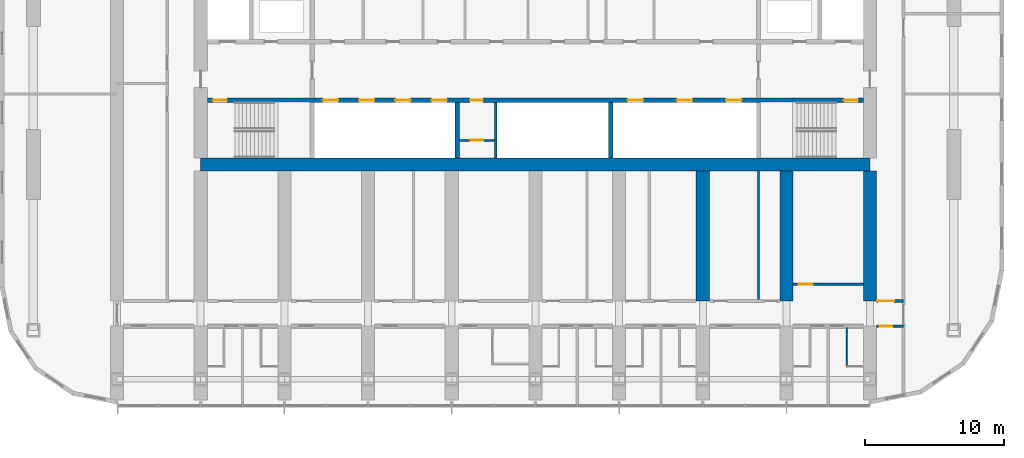
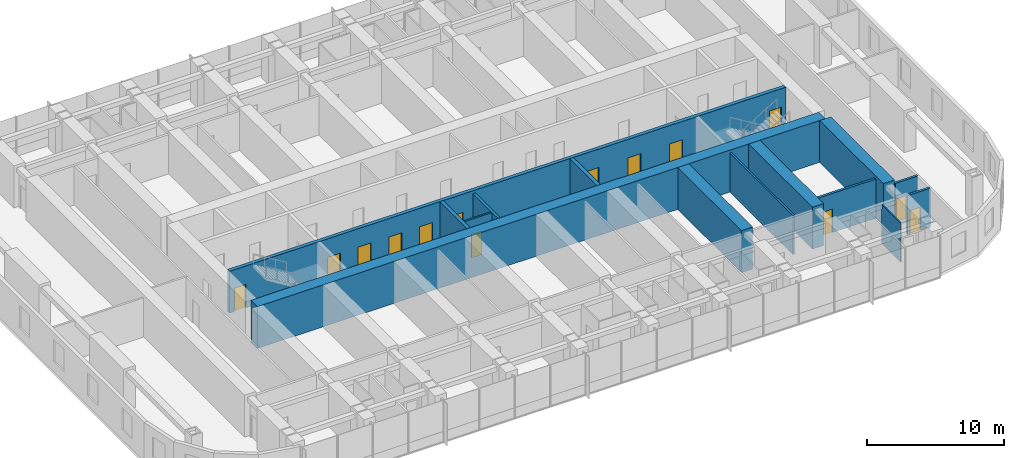
# One storey, part 11 of 21: 14 doors, 14 walls, 14 openings.
"""IFC4 building model written with IfcOpenShell, lengths in metres."""

from ifc_helpers import new_model, si_unit, direction, frame, frame_2d, origin, place, context, subcontext, project, spatial, polyline, rectangle, outline, extrude, material, layer, layer_set, type_object, element, fill, save


model = new_model("IFC4")

# Units and contexts
model_context = context("Model", 3, precision=1e-05, world=origin(), true_north=direction((0.0, 1.0)))
body_context = subcontext(model_context, "Body", "Model", "MODEL_VIEW")
ifc_project = project(units=[si_unit("LENGTHUNIT", "METRE"), si_unit("AREAUNIT", "SQUARE_METRE"), si_unit("VOLUMEUNIT", "CUBIC_METRE"), si_unit("PLANEANGLEUNIT", "RADIAN"), si_unit("MASSUNIT", "GRAM", prefix="KILO")], contexts=[model_context])

# Site, building, storey
site_placement = place(None, origin())
site = spatial("IfcSite", under=ifc_project, at=site_placement, CompositionType="ELEMENT")
building_placement = place(site_placement, origin())
building = spatial("IfcBuilding", under=site, at=building_placement, Name="Orbita Commons", CompositionType="ELEMENT")
storey_placement = place(building_placement, frame((0.0, 0.0, 106.89990234375)))
storey = spatial("IfcBuildingStorey", under=building, at=storey_placement, Name="L26", CompositionType="ELEMENT", Elevation=106.89990234375)

# Wall, openings, doors
ifc_material_1 = material(Name="Concrete C50/60", Category="concrete")
ifc_layer_1 = layer(ifc_material_1, 0.300048828125)
ifc_layer_set_1 = layer_set([ifc_layer_1], Name="Concrete C50/60")
wall_type_1 = type_object("IfcWallType", Name="Core inner wall 300 C50/60", PredefinedType="SHEAR", material=ifc_layer_set_1)
wall_1_placement = place(storey_placement, frame((18.47509765625, 30.39990234375, 0.0), z_axis=(0.0, 0.0, 1.0), x_axis=(1.0, 0.0, 0.0)))
wall_1 = element("IfcWall", 1, at=wall_1_placement, inside=storey, type_object=wall_type_1, Name="Lobby wall south L26", PredefinedType="SHEAR", context=body_context, shape_type="SweptSolid", body=[
    extrude(rectangle(XDim=47.0498046875, YDim=0.300048828125, at=frame_2d((23.52490234375, 0.0))), origin(), (0.0, 0.0, 1.0), 3.75),
])
opening_1_placement = place(wall_1_placement, frame((0.39990234375, 0.0, 0.0)))
opening_1 = element("IfcOpeningElement", 2, at=opening_1_placement, cuts=wall_1, Name="Opening D02", PredefinedType="OPENING", context=body_context, shape_type="SweptSolid", body=[
    extrude(rectangle(XDim=1.0, YDim=2.10009765625, at=frame_2d((0.5, 1.050048828125))), frame((0.0, 0.159912109375, 0.0), z_axis=(0.0, -1.0, 0.0), x_axis=(1.0, 0.0, 0.0)), (0.0, 0.0, 1.0), 0.320068359375),
])
opening_2_placement = place(wall_1_placement, frame((45.64990234375, 0.0, 0.0)))
opening_2 = element("IfcOpeningElement", 3, at=opening_2_placement, cuts=wall_1, Name="Opening D02", PredefinedType="OPENING", context=body_context, shape_type="SweptSolid", body=[
    extrude(rectangle(XDim=1.0, YDim=2.10009765625, at=frame_2d((0.5, 1.050048828125))), frame((0.0, 0.159912109375, 0.0), z_axis=(0.0, -1.0, 0.0), x_axis=(1.0, 0.0, 0.0)), (0.0, 0.0, 1.0), 0.320068359375),
])
opening_3_placement = place(wall_1_placement, frame((8.27490234375, 0.0, 0.0)))
opening_3 = element("IfcOpeningElement", 4, at=opening_3_placement, cuts=wall_1, Name="Opening LD02", PredefinedType="OPENING", context=body_context, shape_type="SweptSolid", body=[
    extrude(rectangle(XDim=1.10009765625, YDim=2.10009765625, at=frame_2d((0.550048828125, 1.050048828125))), frame((0.0, 0.159912109375, 0.0), z_axis=(0.0, -1.0, 0.0), x_axis=(1.0, 0.0, 0.0)), (0.0, 0.0, 1.0), 0.320068359375),
])
opening_4_placement = place(wall_1_placement, frame((10.875, 0.0, 0.0)))
opening_4 = element("IfcOpeningElement", 5, at=opening_4_placement, cuts=wall_1, Name="Opening LD02", PredefinedType="OPENING", context=body_context, shape_type="SweptSolid", body=[
    extrude(rectangle(XDim=1.10009765625, YDim=2.10009765625, at=frame_2d((0.550048828125, 1.050048828125))), frame((0.0, 0.159912109375, 0.0), z_axis=(0.0, -1.0, 0.0), x_axis=(1.0, 0.0, 0.0)), (0.0, 0.0, 1.0), 0.320068359375),
])
opening_5_placement = place(wall_1_placement, frame((13.47509765625, 0.0, 0.0)))
opening_5 = element("IfcOpeningElement", 6, at=opening_5_placement, cuts=wall_1, Name="Opening LD02", PredefinedType="OPENING", context=body_context, shape_type="SweptSolid", body=[
    extrude(rectangle(XDim=1.10009765625, YDim=2.10009765625, at=frame_2d((0.550048828125, 1.050048828125))), frame((0.0, 0.159912109375, 0.0), z_axis=(0.0, -1.0, 0.0), x_axis=(1.0, 0.0, 0.0)), (0.0, 0.0, 1.0), 0.320068359375),
])
opening_6_placement = place(wall_1_placement, frame((16.074951171875, 0.0, 0.0)))
opening_6 = element("IfcOpeningElement", 7, at=opening_6_placement, cuts=wall_1, Name="Opening LD02", PredefinedType="OPENING", context=body_context, shape_type="SweptSolid", body=[
    extrude(rectangle(XDim=1.10009765625, YDim=2.10009765625, at=frame_2d((0.550048828125, 1.050048828125))), frame((0.0, 0.159912109375, 0.0), z_axis=(0.0, -1.0, 0.0), x_axis=(1.0, 0.0, 0.0)), (0.0, 0.0, 1.0), 0.320068359375),
])
opening_7_placement = place(wall_1_placement, frame((18.85009765625, 0.0, 0.0)))
opening_7 = element("IfcOpeningElement", 8, at=opening_7_placement, cuts=wall_1, Name="Opening D05", PredefinedType="OPENING", context=body_context, shape_type="SweptSolid", body=[
    extrude(rectangle(XDim=0.89990234375, YDim=2.10009765625, at=frame_2d((0.449951171875, 1.050048828125))), frame((0.0, 0.159912109375, 0.0), z_axis=(0.0, -1.0, 0.0), x_axis=(1.0, 0.0, 0.0)), (0.0, 0.0, 1.0), 0.320068359375),
])
opening_8_placement = place(wall_1_placement, frame((30.1416015625, 0.0, 0.0)))
opening_8 = element("IfcOpeningElement", 9, at=opening_8_placement, cuts=wall_1, Name="Opening LD02", PredefinedType="OPENING", context=body_context, shape_type="SweptSolid", body=[
    extrude(rectangle(XDim=1.10009765625, YDim=2.10009765625, at=frame_2d((0.550048828125, 1.050048828125))), frame((0.0, 0.159912109375, 0.0), z_axis=(0.0, -1.0, 0.0), x_axis=(1.0, 0.0, 0.0)), (0.0, 0.0, 1.0), 0.320068359375),
])
opening_9_placement = place(wall_1_placement, frame((33.675048828125, 0.0, 0.0)))
opening_9 = element("IfcOpeningElement", 10, at=opening_9_placement, cuts=wall_1, Name="Opening LD02", PredefinedType="OPENING", context=body_context, shape_type="SweptSolid", body=[
    extrude(rectangle(XDim=1.10009765625, YDim=2.10009765625, at=frame_2d((0.550048828125, 1.050048828125))), frame((0.0, 0.159912109375, 0.0), z_axis=(0.0, -1.0, 0.0), x_axis=(1.0, 0.0, 0.0)), (0.0, 0.0, 1.0), 0.320068359375),
])
opening_10_placement = place(wall_1_placement, frame((37.208251953125, 0.0, 0.0)))
opening_10 = element("IfcOpeningElement", 11, at=opening_10_placement, cuts=wall_1, Name="Opening LD02", PredefinedType="OPENING", context=body_context, shape_type="SweptSolid", body=[
    extrude(rectangle(XDim=1.10009765625, YDim=2.10009765625, at=frame_2d((0.550048828125, 1.050048828125))), frame((0.0, 0.159912109375, 0.0), z_axis=(0.0, -1.0, 0.0), x_axis=(1.0, 0.0, 0.0)), (0.0, 0.0, 1.0), 0.320068359375),
])
ifc_material_2 = material(Name="Steel-faced fire door leaf", Category="steel")
door_type_1 = type_object("IfcDoorType", Name="Fire door 90 min 1000x2100", OperationType="SINGLE_SWING_LEFT", PredefinedType="DOOR", material=ifc_material_2)
door_1_placement = place(opening_1_placement, origin())
door_1 = element("IfcDoor", 12, at=door_1_placement, inside=storey, type_object=door_type_1, Name="Stair S1 door", OperationType="SINGLE_SWING_LEFT", OverallHeight=2.10009765625, OverallWidth=1.0, PredefinedType="DOOR", context=body_context, shape_type="SweptSolid", body=[
    extrude(rectangle(XDim=1.0, YDim=2.10009765625, at=frame_2d((0.5, 1.050048828125))), frame((0.0, 0.02490234375, 0.0), z_axis=(0.0, -1.0, 0.0), x_axis=(1.0, 0.0, 0.0)), (0.0, 0.0, 1.0), 0.050048828125),
])
fill(opening_1, door_1)
door_2_placement = place(opening_2_placement, origin())
door_2 = element("IfcDoor", 13, at=door_2_placement, inside=storey, type_object=door_type_1, Name="Stair S2 door", OperationType="SINGLE_SWING_LEFT", OverallHeight=2.10009765625, OverallWidth=1.0, PredefinedType="DOOR", context=body_context, shape_type="SweptSolid", body=[
    extrude(rectangle(XDim=1.0, YDim=2.10009765625, at=frame_2d((0.5, 1.050048828125))), frame((0.0, 0.02490234375, 0.0), z_axis=(0.0, -1.0, 0.0), x_axis=(1.0, 0.0, 0.0)), (0.0, 0.0, 1.0), 0.050048828125),
])
fill(opening_2, door_2)
ifc_material_3 = material(Name="Steel-faced fire door leaf", Category="steel")
door_type_2 = type_object("IfcDoorType", Name="Lift landing door 1100x2100", OperationType="DOUBLE_DOOR_SLIDING", PredefinedType="DOOR", material=ifc_material_3)
door_3_placement = place(opening_3_placement, origin())
door_3 = element("IfcDoor", 14, at=door_3_placement, inside=storey, type_object=door_type_2, Name="Lift P21 landing door", OperationType="DOUBLE_DOOR_SLIDING", OverallHeight=2.10009765625, OverallWidth=1.10009765625, PredefinedType="DOOR", context=body_context, shape_type="SweptSolid", body=[
    extrude(rectangle(XDim=1.10009765625, YDim=2.10009765625, at=frame_2d((0.550048828125, 1.050048828125))), frame((0.0, 0.02490234375, 0.0), z_axis=(0.0, -1.0, 0.0), x_axis=(1.0, 0.0, 0.0)), (0.0, 0.0, 1.0), 0.050048828125),
])
fill(opening_3, door_3)
door_4_placement = place(opening_4_placement, origin())
door_4 = element("IfcDoor", 15, at=door_4_placement, inside=storey, type_object=door_type_2, Name="Lift P22 landing door", OperationType="DOUBLE_DOOR_SLIDING", OverallHeight=2.10009765625, OverallWidth=1.10009765625, PredefinedType="DOOR", context=body_context, shape_type="SweptSolid", body=[
    extrude(rectangle(XDim=1.10009765625, YDim=2.10009765625, at=frame_2d((0.550048828125, 1.050048828125))), frame((0.0, 0.02490234375, 0.0), z_axis=(0.0, -1.0, 0.0), x_axis=(1.0, 0.0, 0.0)), (0.0, 0.0, 1.0), 0.050048828125),
])
fill(opening_4, door_4)
door_5_placement = place(opening_5_placement, origin())
door_5 = element("IfcDoor", 16, at=door_5_placement, inside=storey, type_object=door_type_2, Name="Lift P23 landing door", OperationType="DOUBLE_DOOR_SLIDING", OverallHeight=2.10009765625, OverallWidth=1.10009765625, PredefinedType="DOOR", context=body_context, shape_type="SweptSolid", body=[
    extrude(rectangle(XDim=1.10009765625, YDim=2.10009765625, at=frame_2d((0.550048828125, 1.050048828125))), frame((0.0, 0.02490234375, 0.0), z_axis=(0.0, -1.0, 0.0), x_axis=(1.0, 0.0, 0.0)), (0.0, 0.0, 1.0), 0.050048828125),
])
fill(opening_5, door_5)
door_6_placement = place(opening_6_placement, origin())
door_6 = element("IfcDoor", 17, at=door_6_placement, inside=storey, type_object=door_type_2, Name="Lift P24 landing door", OperationType="DOUBLE_DOOR_SLIDING", OverallHeight=2.10009765625, OverallWidth=1.10009765625, PredefinedType="DOOR", context=body_context, shape_type="SweptSolid", body=[
    extrude(rectangle(XDim=1.10009765625, YDim=2.10009765625, at=frame_2d((0.550048828125, 1.050048828125))), frame((0.0, 0.02490234375, 0.0), z_axis=(0.0, -1.0, 0.0), x_axis=(1.0, 0.0, 0.0)), (0.0, 0.0, 1.0), 0.050048828125),
])
fill(opening_6, door_6)
door_7_placement = place(opening_8_placement, origin())
door_7 = element("IfcDoor", 18, at=door_7_placement, inside=storey, type_object=door_type_2, Name="Lift SV1 landing door", OperationType="DOUBLE_DOOR_SLIDING", OverallHeight=2.10009765625, OverallWidth=1.10009765625, PredefinedType="DOOR", context=body_context, shape_type="SweptSolid", body=[
    extrude(rectangle(XDim=1.10009765625, YDim=2.10009765625, at=frame_2d((0.550048828125, 1.050048828125))), frame((0.0, 0.02490234375, 0.0), z_axis=(0.0, -1.0, 0.0), x_axis=(1.0, 0.0, 0.0)), (0.0, 0.0, 1.0), 0.050048828125),
])
fill(opening_8, door_7)
door_8_placement = place(opening_9_placement, origin())
door_8 = element("IfcDoor", 19, at=door_8_placement, inside=storey, type_object=door_type_2, Name="Lift SV2 landing door", OperationType="DOUBLE_DOOR_SLIDING", OverallHeight=2.10009765625, OverallWidth=1.10009765625, PredefinedType="DOOR", context=body_context, shape_type="SweptSolid", body=[
    extrude(rectangle(XDim=1.10009765625, YDim=2.10009765625, at=frame_2d((0.550048828125, 1.050048828125))), frame((0.0, 0.02490234375, 0.0), z_axis=(0.0, -1.0, 0.0), x_axis=(1.0, 0.0, 0.0)), (0.0, 0.0, 1.0), 0.050048828125),
])
fill(opening_9, door_8)
door_9_placement = place(opening_10_placement, origin())
door_9 = element("IfcDoor", 20, at=door_9_placement, inside=storey, type_object=door_type_2, Name="Lift SV3 landing door", OperationType="DOUBLE_DOOR_SLIDING", OverallHeight=2.10009765625, OverallWidth=1.10009765625, PredefinedType="DOOR", context=body_context, shape_type="SweptSolid", body=[
    extrude(rectangle(XDim=1.10009765625, YDim=2.10009765625, at=frame_2d((0.550048828125, 1.050048828125))), frame((0.0, 0.02490234375, 0.0), z_axis=(0.0, -1.0, 0.0), x_axis=(1.0, 0.0, 0.0)), (0.0, 0.0, 1.0), 0.050048828125),
])
fill(opening_10, door_9)
ifc_material_4 = material(Name="Steel-faced fire door leaf", Category="steel")
door_type_3 = type_object("IfcDoorType", Name="Service door 20 min 900x2100", OperationType="SINGLE_SWING_LEFT", PredefinedType="DOOR", material=ifc_material_4)
door_10_placement = place(opening_7_placement, origin())
door_10 = element("IfcDoor", 21, at=door_10_placement, inside=storey, type_object=door_type_3, Name="Mail room door", OperationType="SINGLE_SWING_LEFT", OverallHeight=2.10009765625, OverallWidth=0.89990234375, PredefinedType="DOOR", context=body_context, shape_type="SweptSolid", body=[
    extrude(rectangle(XDim=0.89990234375, YDim=2.10009765625, at=frame_2d((0.449951171875, 1.050048828125))), frame((0.0, 0.02490234375, 0.0), z_axis=(0.0, -1.0, 0.0), x_axis=(1.0, 0.0, 0.0)), (0.0, 0.0, 1.0), 0.050048828125),
])
fill(opening_7, door_10)

# Walls
for number, where, z_axis, x_axis, name in (
    (22, (36.39990234375, 26.27490234375, 0.0), (0.0, 0.0, 1.0), (0.0, 1.0, 0.0), "Hoistway division wall L26"),
    (23, (47.39990234375, 26.27490234375, 0.0), (0.0, 0.0, 1.0), (0.0, 1.0, 0.0), "Hoistway division wall L26"),
):
    element("IfcWall", number, at=place(storey_placement, frame(where, z_axis=z_axis, x_axis=x_axis)), inside=storey, type_object=wall_type_1, Name=name, PredefinedType="SHEAR", context=body_context, shape_type="SweptSolid", body=[
        extrude(rectangle(XDim=3.97509765625, YDim=0.300048828125, at=frame_2d((1.987548828125, 0.0))), origin(), (0.0, 0.0, 1.0), 3.75),
    ])

# Wall, opening, door
ifc_material_5 = material(Name="Concrete blockwork", Category="masonry")
ifc_layer_2 = layer(ifc_material_5, 0.14990234375)
ifc_layer_set_2 = layer_set([ifc_layer_2], Name="Concrete blockwork")
wall_type_2 = type_object("IfcWallType", Name="Core partition 150 blockwork", PredefinedType="SOLIDWALL", material=ifc_layer_set_2)
wall_2_placement = place(storey_placement, frame((36.550048828125, 27.52490234375, 0.0), z_axis=(0.0, 0.0, 1.0), x_axis=(1.0, 0.0, 0.0)))
wall_2 = element("IfcWall", 24, at=wall_2_placement, inside=storey, type_object=wall_type_2, Name="Core partition 150 blockwork L26", PredefinedType="SOLIDWALL", context=body_context, shape_type="SweptSolid", body=[
    extrude(rectangle(XDim=2.5, YDim=0.14990234375, at=frame_2d((1.25, 0.0))), origin(), (0.0, 0.0, 1.0), 3.5),
])
opening_11_placement = place(wall_2_placement, frame((0.800048828125, 0.0, 0.0)))
opening_11 = element("IfcOpeningElement", 25, at=opening_11_placement, cuts=wall_2, Name="Opening D05", PredefinedType="OPENING", context=body_context, shape_type="SweptSolid", body=[
    extrude(rectangle(XDim=0.89990234375, YDim=2.10009765625, at=frame_2d((0.449951171875, 1.050048828125))), frame((0.0, 0.0849609375, 0.0), z_axis=(0.0, -1.0, 0.0), x_axis=(1.0, 0.0, 0.0)), (0.0, 0.0, 1.0), 0.169921875),
])
door_11_placement = place(opening_11_placement, origin())
door_11 = element("IfcDoor", 26, at=door_11_placement, inside=storey, type_object=door_type_3, Name="Cupboard door off Mail room", OperationType="SINGLE_SWING_LEFT", OverallHeight=2.10009765625, OverallWidth=0.89990234375, PredefinedType="DOOR", context=body_context, shape_type="SweptSolid", body=[
    extrude(rectangle(XDim=0.89990234375, YDim=2.10009765625, at=frame_2d((0.449951171875, 1.050048828125))), frame((0.0, 0.02490234375, 0.0), z_axis=(0.0, -1.0, 0.0), x_axis=(1.0, 0.0, 0.0)), (0.0, 0.0, 1.0), 0.050048828125),
])
fill(opening_11, door_11)

# Wall
ifc_material_6 = material(Name="Concrete C50/60", Category="concrete")
ifc_layer_3 = layer(ifc_material_6, 0.949951171875)
ifc_layer_set_3 = layer_set([ifc_layer_3], Name="Concrete C50/60")
wall_type_3 = type_object("IfcWallType", Name="Core wall 950 C50/60", PredefinedType="SHEAR", material=ifc_layer_set_3)
wall_3_placement = place(storey_placement, frame((18.0, 25.800048828125, 0.0), z_axis=(0.0, 0.0, 1.0), x_axis=(1.0, 0.0, 0.0)))
element("IfcWall", 27, at=wall_3_placement, inside=storey, type_object=wall_type_3, Name="Core spine wall south L26", PredefinedType="SHEAR", context=body_context, shape_type="SweptSolid", body=[
    extrude(rectangle(XDim=48.0, YDim=0.949951171875, at=frame_2d((24.0, 0.0))), origin(), (0.0, 0.0, 1.0), 3.75),
])

# Wall, opening, door
ifc_material_7 = material(Name="Concrete blockwork", Category="masonry")
ifc_layer_4 = layer(ifc_material_7, 0.199951171875)
ifc_layer_set_4 = layer_set([ifc_layer_4], Name="Concrete blockwork")
wall_type_4 = type_object("IfcWallType", Name="Corridor wall 200 blockwork", PredefinedType="SOLIDWALL", material=ifc_layer_set_4)
wall_4_placement = place(storey_placement, frame((66.47509765625, 14.199951171875, 0.0), z_axis=(0.0, 0.0, 1.0), x_axis=(1.0, 0.0, 0.0)))
wall_4 = element("IfcWall", 28, at=wall_4_placement, inside=storey, type_object=wall_type_4, Name="Corridor wall 200 blockwork L26", PredefinedType="SOLIDWALL", context=body_context, shape_type="SweptSolid", body=[
    extrude(rectangle(XDim=1.9248046875, YDim=0.199951171875, at=frame_2d((0.96240234375, 0.0))), origin(), (0.0, 0.0, 1.0), 3.5),
])
opening_12_placement = place(wall_4_placement, frame((0.199951171875, 0.0, 0.0)))
opening_12 = element("IfcOpeningElement", 29, at=opening_12_placement, cuts=wall_4, Name="Opening D05", PredefinedType="OPENING", context=body_context, shape_type="SweptSolid", body=[
    extrude(rectangle(XDim=0.89990234375, YDim=2.10009765625, at=frame_2d((0.449951171875, 1.050048828125))), frame((0.0, 0.10986328125, 0.0), z_axis=(0.0, -1.0, 0.0), x_axis=(1.0, 0.0, 0.0)), (0.0, 0.0, 1.0), 0.219970703125),
])
door_12_placement = place(opening_12_placement, origin())
door_12 = element("IfcDoor", 30, at=door_12_placement, inside=storey, type_object=door_type_3, Name="Linen store L26-KES door", OperationType="SINGLE_SWING_LEFT", OverallHeight=2.10009765625, OverallWidth=0.89990234375, PredefinedType="DOOR", context=body_context, shape_type="SweptSolid", body=[
    extrude(rectangle(XDim=0.89990234375, YDim=2.10009765625, at=frame_2d((0.449951171875, 1.050048828125))), frame((0.0, 0.02490234375, 0.0), z_axis=(0.0, -1.0, 0.0), x_axis=(1.0, 0.0, 0.0)), (0.0, 0.0, 1.0), 0.050048828125),
])
fill(opening_12, door_12)

ifc_material_8 = material(Name="Hollow concrete block 200", Category="concrete")
ifc_layer_5 = layer(ifc_material_8, 0.199951171875)
ifc_layer_set_5 = layer_set([ifc_layer_5], Name="Hollow concrete block 200")
wall_type_5 = type_object("IfcWallType", Name="Corridor wall 200 hollow concrete block", PredefinedType="SOLIDWALL", material=ifc_layer_set_5)
wall_5_placement = place(storey_placement, frame((66.47509765625, 16.0, 0.0), z_axis=(0.0, 0.0, 1.0), x_axis=(1.0, 0.0, 0.0)))
wall_5 = element("IfcWall", 31, at=wall_5_placement, inside=storey, type_object=wall_type_5, Name="Corridor wall 200 hollow concrete block L26", PredefinedType="SOLIDWALL", context=body_context, shape_type="SweptSolid", body=[
    extrude(rectangle(XDim=1.9248046875, YDim=0.199951171875, at=frame_2d((0.96240234375, 0.0))), origin(), (0.0, 0.0, 1.0), 3.5),
])
opening_13_placement = place(wall_5_placement, frame((0.050048828125, 0.0, 0.0)))
opening_13 = element("IfcOpeningElement", 32, at=opening_13_placement, cuts=wall_5, Name="Opening D12", PredefinedType="OPENING", context=body_context, shape_type="SweptSolid", body=[
    extrude(rectangle(XDim=1.199951171875, YDim=2.10009765625, at=frame_2d((0.60009765625, 1.050048828125))), frame((0.0, 0.10986328125, 0.0), z_axis=(0.0, -1.0, 0.0), x_axis=(1.0, 0.0, 0.0)), (0.0, 0.0, 1.0), 0.219970703125),
])
ifc_material_9 = material(Name="Steel-faced fire door leaf", Category="steel")
door_type_4 = type_object("IfcDoorType", Name="Double corridor door 20 min 1200x2100", OperationType="DOUBLE_DOOR_SINGLE_SWING", PredefinedType="DOOR", material=ifc_material_9)
door_13_placement = place(opening_13_placement, origin())
door_13 = element("IfcDoor", 33, at=door_13_placement, inside=storey, type_object=door_type_4, Name="Cross corridor doors", OperationType="DOUBLE_DOOR_SINGLE_SWING", OverallHeight=2.10009765625, OverallWidth=1.199951171875, PredefinedType="DOOR", context=body_context, shape_type="SweptSolid", body=[
    extrude(rectangle(XDim=1.199951171875, YDim=2.10009765625, at=frame_2d((0.60009765625, 1.050048828125))), frame((0.0, 0.02490234375, 0.0), z_axis=(0.0, -1.0, 0.0), x_axis=(1.0, 0.0, 0.0)), (0.0, 0.0, 1.0), 0.050048828125),
])
fill(opening_13, door_13)

wall_6_placement = place(storey_placement, frame((60.47509765625, 17.199951171875, 0.0), z_axis=(0.0, 0.0, 1.0), x_axis=(1.0, 0.0, 0.0)))
wall_6 = element("IfcWall", 34, at=wall_6_placement, inside=storey, type_object=wall_type_5, Name="Corridor wall 200 hollow concrete block L26", PredefinedType="SOLIDWALL", context=body_context, shape_type="SweptSolid", body=[
    extrude(rectangle(XDim=5.0498046875, YDim=0.199951171875, at=frame_2d((2.52490234375, 0.0))), origin(), (0.0, 0.0, 1.0), 3.5),
])
opening_14_placement = place(wall_6_placement, frame((0.39990234375, 0.0, 0.0)))
opening_14 = element("IfcOpeningElement", 35, at=opening_14_placement, cuts=wall_6, Name="Opening D06", PredefinedType="OPENING", context=body_context, shape_type="SweptSolid", body=[
    extrude(rectangle(XDim=1.0, YDim=2.10009765625, at=frame_2d((0.5, 1.050048828125))), frame((0.0, 0.10986328125, 0.0), z_axis=(0.0, -1.0, 0.0), x_axis=(1.0, 0.0, 0.0)), (0.0, 0.0, 1.0), 0.219970703125),
])
ifc_material_10 = material(Name="Steel-faced fire door leaf", Category="steel")
door_type_5 = type_object("IfcDoorType", Name="Corridor door 20 min 1000x2100", OperationType="SINGLE_SWING_LEFT", PredefinedType="DOOR", material=ifc_material_10)
door_14_placement = place(opening_14_placement, origin())
door_14 = element("IfcDoor", 36, at=door_14_placement, inside=storey, type_object=door_type_5, Name="Cleaners store L26-BDS60 door", OperationType="SINGLE_SWING_LEFT", OverallHeight=2.10009765625, OverallWidth=1.0, PredefinedType="DOOR", context=body_context, shape_type="SweptSolid", body=[
    extrude(rectangle(XDim=1.0, YDim=2.10009765625, at=frame_2d((0.5, 1.050048828125))), frame((0.0, 0.02490234375, 0.0), z_axis=(0.0, -1.0, 0.0), x_axis=(1.0, 0.0, 0.0)), (0.0, 0.0, 1.0), 0.050048828125),
])
fill(opening_14, door_14)

# Walls
ifc_material_11 = material(Name="Concrete C50/60", Category="concrete")
ifc_layer_6 = layer(ifc_material_11, 0.949951171875)
ifc_layer_set_6 = layer_set([ifc_layer_6], Name="Concrete C50/60")
wall_type_6 = type_object("IfcWallType", Name="Cross wall 950 C50/60", PredefinedType="SHEAR", material=ifc_layer_set_6)
for number, where, z_axis, x_axis, name in (
    (37, (54.0, 16.0, 0.0), (0.0, 0.0, 1.0), (0.0, 1.0, 0.0), "Cross wall 10 south inner L26"),
    (38, (60.0, 16.0, 0.0), (0.0, 0.0, 1.0), (0.0, 1.0, 0.0), "Cross wall 11 south inner L26"),
    (39, (66.0, 16.0, 0.0), (0.0, 0.0, 1.0), (0.0, 1.0, 0.0), "Cross wall 12 south inner L26"),
):
    element("IfcWall", number, at=place(storey_placement, frame(where, z_axis=z_axis, x_axis=x_axis)), inside=storey, type_object=wall_type_6, Name=name, PredefinedType="SHEAR", context=body_context, shape_type="SweptSolid", body=[
        extrude(rectangle(XDim=9.324951171875, YDim=0.949951171875, at=frame_2d((4.66259765625, 0.0))), origin(), (0.0, 0.0, 1.0), 3.75),
    ])
ifc_material_12 = material(Name="Moisture-resistant plasterboard on steel studs", Category="steel")
ifc_layer_7 = layer(ifc_material_12, 0.10009765625)
ifc_layer_set_7 = layer_set([ifc_layer_7], Name="Moisture-resistant plasterboard on steel studs")
wall_type_7 = type_object("IfcWallType", Name="En-suite partition 100", PredefinedType="PARTITIONING", material=ifc_layer_set_7)
wall_7_placement = place(storey_placement, frame((64.324951171875, 11.35009765625, 0.0), z_axis=(0.0, 0.0, 1.0), x_axis=(0.0, 1.0, 0.0)))
element("IfcWall", 40, at=wall_7_placement, inside=storey, type_object=wall_type_7, Name="En-suite partition 100 L26", PredefinedType="PARTITIONING", context=body_context, shape_type="SweptSolid", body=[
    extrude(outline(polyline([(0.0, 0.0), (2.75, 0.0), (2.75, 3.10009765625), (2.701904296875, 3.10009765625), (2.699951171875, 3.5), (0.0, 3.5), (0.0, 0.0)])), frame((0.0, 0.050048828125, 0.0), z_axis=(0.0, -1.0, 0.0), x_axis=(1.0, 0.0, 0.0)), (0.0, 0.0, 1.0), 0.10009765625),
])
ifc_material_13 = material(Name="Gypsum plasterboard on steel studs", Category="steel")
ifc_layer_8 = layer(ifc_material_13, 0.14990234375)
ifc_layer_set_8 = layer_set([ifc_layer_8], Name="Gypsum plasterboard on steel studs")
wall_type_8 = type_object("IfcWallType", Name="Partition 150 plasterboard", PredefinedType="PARTITIONING", material=ifc_layer_set_8)
wall_8_placement = place(storey_placement, frame((58.0048828125, 16.10009765625, 0.0), z_axis=(0.0, 0.0, 1.0), x_axis=(0.0, 1.0, 0.0)))
element("IfcWall", 41, at=wall_8_placement, inside=storey, type_object=wall_type_8, Name="Partition 150 plasterboard L26", PredefinedType="PARTITIONING", context=body_context, shape_type="SweptSolid", body=[
    extrude(rectangle(XDim=9.224853515625, YDim=0.14990234375, at=frame_2d((4.6123046875, 0.0))), origin(), (0.0, 0.0, 1.0), 3.5),
])
ifc_material_14 = material(Name="Concrete blockwork, fully filled", Category="masonry")
ifc_layer_9 = layer(ifc_material_14, 0.199951171875)
ifc_layer_set_9 = layer_set([ifc_layer_9], Name="Concrete blockwork, fully filled")
wall_type_9 = type_object("IfcWallType", Name="Shaft partition 200 blockwork", PredefinedType="SOLIDWALL", material=ifc_layer_set_9)
wall_9_placement = place(storey_placement, frame((39.14990234375, 26.27490234375, 0.0), z_axis=(0.0, 0.0, 1.0), x_axis=(0.0, 1.0, 0.0)))
element("IfcWall", 42, at=wall_9_placement, inside=storey, type_object=wall_type_9, Name="Shaft partition 200 blockwork L26", PredefinedType="SOLIDWALL", context=body_context, shape_type="SweptSolid", body=[
    extrude(rectangle(XDim=3.97509765625, YDim=0.199951171875, at=frame_2d((1.987548828125, 0.0))), origin(), (0.0, 0.0, 1.0), 3.5),
])

save(model, "model.ifc")
